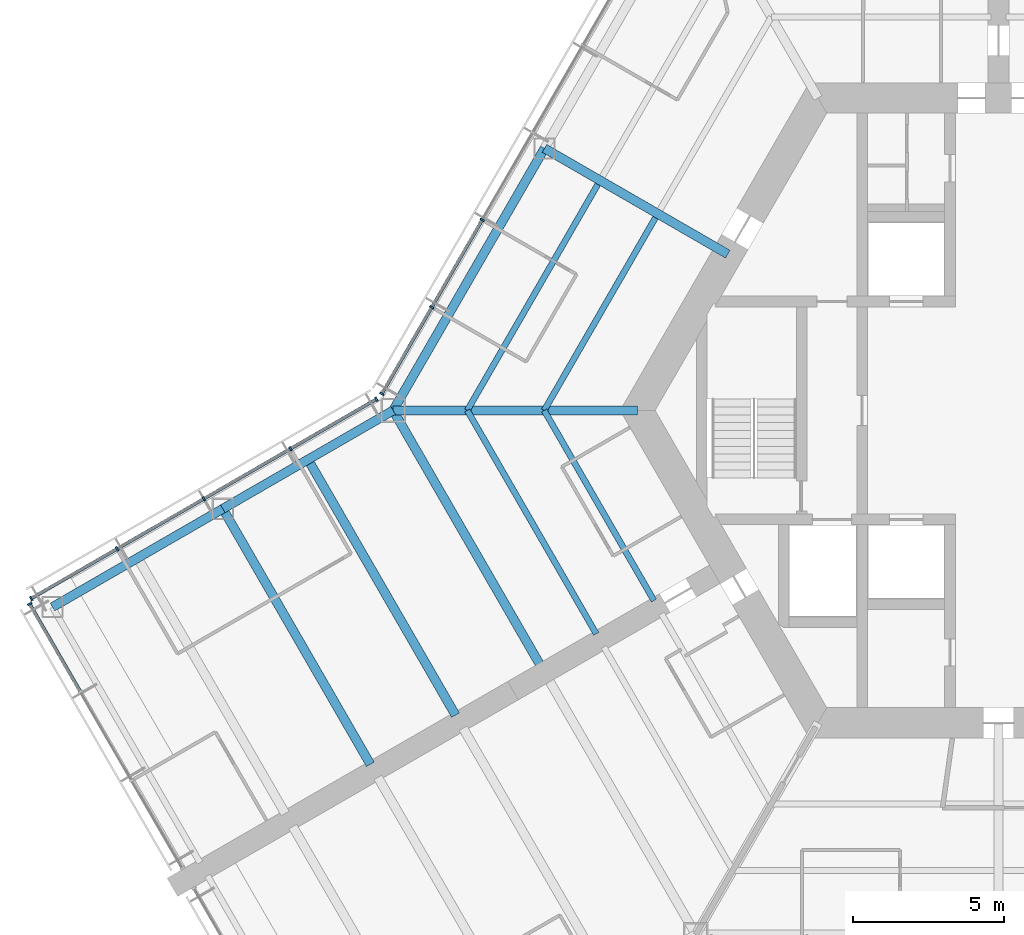
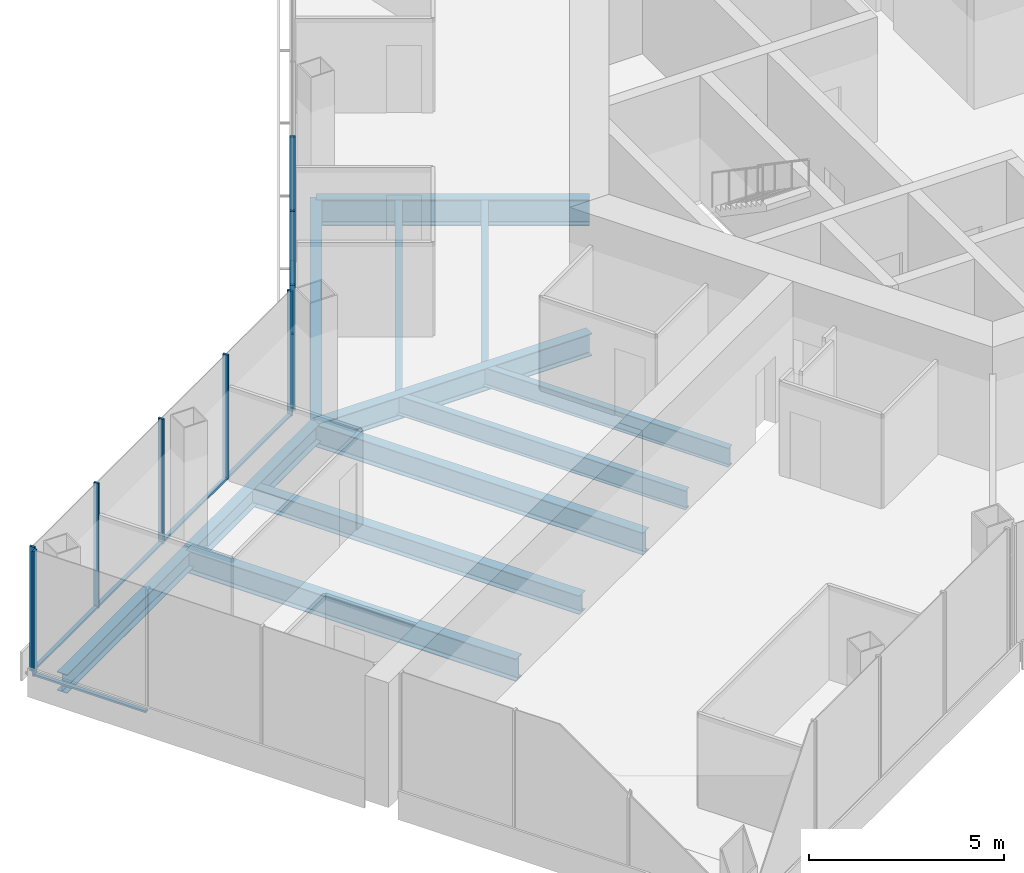
# One storey, part 4 of 18: 16 members, 12 beams, 3 elements without a shape of their own.
"""IFC4 building model written with IfcOpenShell, lengths in metres."""

from ifc_helpers import new_model, si_unit, direction, frame, origin, origin_2d, place, context, subcontext, project, spatial, rectangle, i_section, extrude, material, material_profile, profile_set, type_object, element, aggregate, save


model = new_model("IFC4")

# Units and contexts
model_context = context("Model", 3, precision=1e-05, world=origin(), true_north=direction((0.0, 1.0)))
body_context = subcontext(model_context, "Body", "Model", "MODEL_VIEW")
ifc_project = project(units=[si_unit("LENGTHUNIT", "METRE"), si_unit("AREAUNIT", "SQUARE_METRE"), si_unit("VOLUMEUNIT", "CUBIC_METRE"), si_unit("PLANEANGLEUNIT", "RADIAN"), si_unit("MASSUNIT", "GRAM", prefix="KILO")], contexts=[model_context])

# Site, building, storey
site_placement = place(None, origin())
site = spatial("IfcSite", under=ifc_project, at=site_placement, CompositionType="ELEMENT")
building_placement = place(site_placement, origin())
building = spatial("IfcBuilding", under=site, at=building_placement, Name="Kasaneha Research Tower", CompositionType="ELEMENT")
storey_placement = place(building_placement, frame((0.0, 0.0, 172.10009765625)))
storey = spatial("IfcBuildingStorey", under=building, at=storey_placement, Name="L43", CompositionType="ELEMENT", Elevation=172.10009765625)

# Beams
ifc_material_1 = material(Name="Steel SN490B", Category="steel")
ifc_material_profile_1 = material_profile(ifc_material_1, i_section(OverallWidth=0.199951171875, OverallDepth=0.60009765625, WebThickness=0.010986328125, FlangeThickness=0.01708984375, FilletRadius=0.012939453125, at=origin_2d()), Name="H-600x200x11x17")
ifc_profile_set_1 = profile_set([ifc_material_profile_1], Name="Steel SN490B")
beam_type_1 = type_object("IfcBeamType", Name="B1-3 secondary beam H-600x200x11x17", PredefinedType="JOIST", material=ifc_profile_set_1)
beam_1_placement = place(storey_placement, frame((-15.010986328125, 0.0, -0.4501953125), z_axis=(0.499994443168, 0.866028611999, 0.0), x_axis=(-0.866028611999, 0.499994443168, 0.0)))
element("IfcBeam", 1, at=beam_1_placement, inside=storey, type_object=beam_type_1, Name="Secondary beam RS150R1 L43", PredefinedType="JOIST", context=body_context, shape_type="SweptSolid", body=[
    extrude(i_section(OverallWidth=0.199951171875, OverallDepth=0.60009765625, WebThickness=0.010986328125, FlangeThickness=0.01708984375, FilletRadius=0.012939453125, at=origin_2d()), origin(), (0.0, 0.0, 1.0), 7.35546875),
])
beam_2_placement = place(storey_placement, frame((-17.551513671875, 0.0, -0.4501953125), z_axis=(0.5000050195, 0.866022505755, 0.0), x_axis=(-0.866022505755, 0.5000050195, 0.0)))
element("IfcBeam", 2, at=beam_2_placement, inside=storey, type_object=beam_type_1, Name="Secondary beam RS150R2 L43", PredefinedType="JOIST", context=body_context, shape_type="SweptSolid", body=[
    extrude(i_section(OverallWidth=0.199951171875, OverallDepth=0.60009765625, WebThickness=0.010986328125, FlangeThickness=0.01708984375, FilletRadius=0.012939453125, at=origin_2d()), origin(), (0.0, 0.0, 1.0), 8.6259765625),
])
beam_3_placement = place(storey_placement, frame((-15.010986328125, 0.0, -0.4501953125), z_axis=(0.499993340521, -0.866029248602, 0.0), x_axis=(0.866029248602, 0.499993340521, 0.0)))
element("IfcBeam", 3, at=beam_3_placement, inside=storey, type_object=beam_type_1, Name="Secondary beam RS210L1 L43", PredefinedType="JOIST", context=body_context, shape_type="SweptSolid", body=[
    extrude(i_section(OverallWidth=0.199951171875, OverallDepth=0.60009765625, WebThickness=0.010986328125, FlangeThickness=0.01708984375, FilletRadius=0.012939453125, at=origin_2d()), origin(), (0.0, 0.0, 1.0), 7.25537109375),
])
beam_4_placement = place(storey_placement, frame((-17.551513671875, 0.0, -0.4501953125), z_axis=(0.500004205306, -0.866022975836, 0.0), x_axis=(0.866022975836, 0.500004205306, 0.0)))
element("IfcBeam", 4, at=beam_4_placement, inside=storey, type_object=beam_type_1, Name="Secondary beam RS210L2 L43", PredefinedType="JOIST", context=body_context, shape_type="SweptSolid", body=[
    extrude(i_section(OverallWidth=0.199951171875, OverallDepth=0.60009765625, WebThickness=0.010986328125, FlangeThickness=0.01708984375, FilletRadius=0.012939453125, at=origin_2d()), origin(), (0.0, 0.0, 1.0), 8.52587890625),
])
ifc_material_2 = material(Name="Steel SN490B", Category="steel")
ifc_material_profile_2 = material_profile(ifc_material_2, i_section(OverallWidth=0.300048828125, OverallDepth=0.58203125, WebThickness=0.011962890625, FlangeThickness=0.01708984375, FilletRadius=0.012939453125, at=origin_2d()), Name="H-582x300x12x17")
ifc_profile_set_2 = profile_set([ifc_material_profile_2], Name="Steel SN490B")
beam_type_2 = type_object("IfcBeamType", Name="B2-3 secondary beam H-582x300x12x17", PredefinedType="JOIST", material=ifc_profile_set_2)
beam_5_placement = place(storey_placement, frame((-22.814697265625, -1.625, -0.441162109375), z_axis=(0.499995560238, -0.866027967067, 0.0), x_axis=(0.866027967067, 0.499995560238, 0.0)))
element("IfcBeam", 5, at=beam_5_placement, inside=storey, type_object=beam_type_2, Name="Secondary beam WBBP1 L43", PredefinedType="JOIST", context=body_context, shape_type="SweptSolid", body=[
    extrude(i_section(OverallWidth=0.300048828125, OverallDepth=0.58203125, WebThickness=0.011962890625, FlangeThickness=0.01708984375, FilletRadius=0.012939453125, at=origin_2d()), origin(), (0.0, 0.0, 1.0), 9.75),
])

# Curtain wall, members
ifc_material_3 = material(Name="Glass and aluminium", Category="aluminium")
curtain_wall_type = type_object("IfcCurtainWallType", Name="Mid-rise office curtain wall", PredefinedType="USERDEFINED", material=ifc_material_3)
curtain_wall_1_placement = place(storey_placement, origin())
curtain_wall_1 = element("IfcCurtainWall", 6, at=curtain_wall_1_placement, inside=storey, type_object=curtain_wall_type, Name="CW-O2 L43 run 08a", ObjectType="UNITISED CURTAIN WALL", PredefinedType="USERDEFINED")
ifc_material_4 = material(Name="Aluminium 6063-T6", Category="aluminium")
ifc_material_profile_3 = material_profile(ifc_material_4, rectangle(XDim=0.06005859375, YDim=0.14990234375, at=origin_2d()), Name="CW-O2 mullion 60x150")
ifc_profile_set_3 = profile_set([ifc_material_profile_3], Name="Aluminium 6063-T6")
member_type_1 = type_object("IfcMemberType", Name="CW-O2 mullion", PredefinedType="MULLION", material=ifc_profile_set_3)
member_1_placement = place(storey_placement, frame((-17.058349609375, 6.295166015625, 0.0), z_axis=(0.0, 0.0, 1.0), x_axis=(-0.499999979232, -0.866025415775, 0.0)))
member_1 = element("IfcMember", 7, at=member_1_placement, type_object=member_type_1, Name="CW-O2 mullion 5", PredefinedType="MULLION", context=body_context, shape_type="SweptSolid", body=[
    extrude(rectangle(XDim=0.06005859375, YDim=0.14990234375, at=origin_2d()), origin(), (0.0, 0.0, 1.0), 3.89990234375),
])
member_2_placement = place(storey_placement, frame((-18.723876953125, 3.410400390625, 0.0), z_axis=(0.0, 0.0, 1.0), x_axis=(-0.499999979232, -0.866025415775, 0.0)))
member_2 = element("IfcMember", 8, at=member_2_placement, type_object=member_type_1, Name="CW-O2 mullion 6", PredefinedType="MULLION", context=body_context, shape_type="SweptSolid", body=[
    extrude(rectangle(XDim=0.06005859375, YDim=0.14990234375, at=origin_2d()), origin(), (0.0, 0.0, 1.0), 3.89990234375),
])
member_3_placement = place(storey_placement, frame((-20.374267578125, 0.5517578125, 0.0), z_axis=(0.0, 0.0, 1.0), x_axis=(-0.499999979232, -0.866025415775, 0.0)))
member_3 = element("IfcMember", 9, at=member_3_placement, type_object=member_type_1, Name="CW-O2 mullion 7", PredefinedType="MULLION", context=body_context, shape_type="SweptSolid", body=[
    extrude(rectangle(XDim=0.06005859375, YDim=0.14990234375, at=origin_2d()), origin(), (0.0, 0.0, 1.0), 3.89990234375),
])

curtain_wall_2_placement = place(storey_placement, origin())
curtain_wall_2 = element("IfcCurtainWall", 10, at=curtain_wall_2_placement, inside=storey, type_object=curtain_wall_type, Name="CW-O2 L43 run 09a", ObjectType="UNITISED CURTAIN WALL", PredefinedType="USERDEFINED")
member_4_placement = place(storey_placement, frame((-20.5517578125, 0.374267578125, 0.0), z_axis=(0.0, 0.0, 1.0), x_axis=(-0.866025411464, -0.499999986699, 0.0)))
member_4 = element("IfcMember", 11, at=member_4_placement, type_object=member_type_1, Name="CW-O2 mullion 1", PredefinedType="MULLION", context=body_context, shape_type="SweptSolid", body=[
    extrude(rectangle(XDim=0.06005859375, YDim=0.14990234375, at=origin_2d()), origin(), (0.0, 0.0, 1.0), 3.89990234375),
])
member_5_placement = place(storey_placement, frame((-23.39208984375, -1.265625, 0.0), z_axis=(0.0, 0.0, 1.0), x_axis=(-0.866025411464, -0.499999986699, 0.0)))
member_5 = element("IfcMember", 12, at=member_5_placement, type_object=member_type_1, Name="CW-O2 mullion 2", PredefinedType="MULLION", context=body_context, shape_type="SweptSolid", body=[
    extrude(rectangle(XDim=0.06005859375, YDim=0.14990234375, at=origin_2d()), origin(), (0.0, 0.0, 1.0), 3.89990234375),
])
member_6_placement = place(storey_placement, frame((-26.258544921875, -2.920654296875, 0.0), z_axis=(0.0, 0.0, 1.0), x_axis=(-0.866025411464, -0.499999986699, 0.0)))
member_6 = element("IfcMember", 13, at=member_6_placement, type_object=member_type_1, Name="CW-O2 mullion 3", PredefinedType="MULLION", context=body_context, shape_type="SweptSolid", body=[
    extrude(rectangle(XDim=0.06005859375, YDim=0.14990234375, at=origin_2d()), origin(), (0.0, 0.0, 1.0), 3.89990234375),
])
member_7_placement = place(storey_placement, frame((-29.125, -4.575439453125, 0.0), z_axis=(0.0, 0.0, 1.0), x_axis=(-0.866025411464, -0.499999986699, 0.0)))
member_7 = element("IfcMember", 14, at=member_7_placement, type_object=member_type_1, Name="CW-O2 mullion 4", PredefinedType="MULLION", context=body_context, shape_type="SweptSolid", body=[
    extrude(rectangle(XDim=0.06005859375, YDim=0.14990234375, at=origin_2d()), origin(), (0.0, 0.0, 1.0), 3.89990234375),
])
member_8_placement = place(storey_placement, frame((-31.96533203125, -6.21533203125, 0.0), z_axis=(0.0, 0.0, 1.0), x_axis=(-0.866025411464, -0.499999986699, 0.0)))
member_8 = element("IfcMember", 15, at=member_8_placement, type_object=member_type_1, Name="CW-O2 mullion 5", PredefinedType="MULLION", context=body_context, shape_type="SweptSolid", body=[
    extrude(rectangle(XDim=0.06005859375, YDim=0.14990234375, at=origin_2d()), origin(), (0.0, 0.0, 1.0), 3.89990234375),
])

# Curtain wall, member
curtain_wall_3_placement = place(storey_placement, origin())
curtain_wall_3 = element("IfcCurtainWall", 16, at=curtain_wall_3_placement, inside=storey, type_object=curtain_wall_type, Name="CW-O2 L43 run 10a", ObjectType="UNITISED CURTAIN WALL", PredefinedType="USERDEFINED")
member_9_placement = place(storey_placement, frame((-32.012939453125, -6.39306640625, 0.0), z_axis=(0.0, 0.0, 1.0), x_axis=(0.500000011442, -0.866025397178, 0.0)))
member_9 = element("IfcMember", 17, at=member_9_placement, type_object=member_type_1, Name="CW-O2 mullion 1", PredefinedType="MULLION", context=body_context, shape_type="SweptSolid", body=[
    extrude(rectangle(XDim=0.06005859375, YDim=0.14990234375, at=origin_2d()), origin(), (0.0, 0.0, 1.0), 3.89990234375),
])

# Member
ifc_material_5 = material(Name="Aluminium 6063-T6", Category="aluminium")
ifc_material_profile_4 = material_profile(ifc_material_5, rectangle(XDim=0.110107421875, YDim=0.06005859375, at=origin_2d()), Name="CW-O2 transom 110x60")
ifc_profile_set_4 = profile_set([ifc_material_profile_4], Name="Aluminium 6063-T6")
member_type_2 = type_object("IfcMemberType", Name="CW-O2 transom", PredefinedType="USERDEFINED", material=ifc_profile_set_4)
member_10_placement = place(storey_placement, frame((-17.0732421875, 6.269287109375, 0.02978515625), z_axis=(-0.500000270186, -0.866025247793, 0.0), x_axis=(0.866025247793, -0.500000270186, 0.0)))
member_10 = element("IfcMember", 18, at=member_10_placement, type_object=member_type_2, Name="CW-O2 transom 5", ObjectType="TRANSOM", PredefinedType="USERDEFINED", context=body_context, shape_type="SweptSolid", body=[
    extrude(rectangle(XDim=0.110107421875, YDim=0.06005859375, at=origin_2d()), origin(), (0.0, 0.0, 1.0), 3.27099609375),
])

member_11_placement = place(storey_placement, frame((-18.73876953125, 3.384521484375, 0.02978515625), z_axis=(-0.499987643696, -0.866032537582, 0.0), x_axis=(0.866032537582, -0.499987643696, 0.0)))
member_11 = element("IfcMember", 19, at=member_11_placement, type_object=member_type_2, Name="CW-O2 transom 6", ObjectType="TRANSOM", PredefinedType="USERDEFINED", context=body_context, shape_type="SweptSolid", body=[
    extrude(rectangle(XDim=0.110107421875, YDim=0.06005859375, at=origin_2d()), origin(), (0.0, 0.0, 1.0), 3.24072265625),
])

aggregate(curtain_wall_1, [member_1, member_2, member_3, member_10, member_11])

member_12_placement = place(storey_placement, frame((-20.577880859375, 0.359130859375, 0.02978515625), z_axis=(-0.866022692473, -0.500004696101, 0.0), x_axis=(0.500004696101, -0.866022692473, 0.0)))
member_12 = element("IfcMember", 20, at=member_12_placement, type_object=member_type_2, Name="CW-O2 transom 1", ObjectType="TRANSOM", PredefinedType="USERDEFINED", context=body_context, shape_type="SweptSolid", body=[
    extrude(rectangle(XDim=0.110107421875, YDim=0.06005859375, at=origin_2d()), origin(), (0.0, 0.0, 1.0), 3.2197265625),
])

member_13_placement = place(storey_placement, frame((-23.418212890625, -1.28076171875, 0.02978515625), z_axis=(-0.86604797581, -0.499960902066, 0.0), x_axis=(0.499960902066, -0.86604797581, 0.0)))
member_13 = element("IfcMember", 21, at=member_13_placement, type_object=member_type_2, Name="CW-O2 transom 2", ObjectType="TRANSOM", PredefinedType="USERDEFINED", context=body_context, shape_type="SweptSolid", body=[
    extrude(rectangle(XDim=0.110107421875, YDim=0.06005859375, at=origin_2d()), origin(), (0.0, 0.0, 1.0), 3.249755859375),
])

member_14_placement = place(storey_placement, frame((-26.28466796875, -2.935546875, 0.02978515625), z_axis=(-0.86599666273, -0.500049777664, 0.0), x_axis=(0.500049777664, -0.86599666273, 0.0)))
member_14 = element("IfcMember", 22, at=member_14_placement, type_object=member_type_2, Name="CW-O2 transom 3", ObjectType="TRANSOM", PredefinedType="USERDEFINED", context=body_context, shape_type="SweptSolid", body=[
    extrude(rectangle(XDim=0.110107421875, YDim=0.06005859375, at=origin_2d()), origin(), (0.0, 0.0, 1.0), 3.249755859375),
])

member_15_placement = place(storey_placement, frame((-29.15087890625, -4.590576171875, 0.02978515625), z_axis=(-0.866041647767, -0.499971863542, 0.0), x_axis=(0.499971863542, -0.866041647767, 0.0)))
member_15 = element("IfcMember", 23, at=member_15_placement, type_object=member_type_2, Name="CW-O2 transom 4", ObjectType="TRANSOM", PredefinedType="USERDEFINED", context=body_context, shape_type="SweptSolid", body=[
    extrude(rectangle(XDim=0.110107421875, YDim=0.06005859375, at=origin_2d()), origin(), (0.0, 0.0, 1.0), 3.219970703125),
])

aggregate(curtain_wall_2, [member_4, member_5, member_6, member_7, member_8, member_12, member_13, member_14, member_15])

member_16_placement = place(storey_placement, frame((-31.998046875, -6.4189453125, 0.02978515625), z_axis=(0.500021914551, -0.866012751043, 0.0), x_axis=(0.866012751043, 0.500021914551, 0.0)))
member_16 = element("IfcMember", 24, at=member_16_placement, type_object=member_type_2, Name="CW-O2 transom 1", ObjectType="TRANSOM", PredefinedType="USERDEFINED", context=body_context, shape_type="SweptSolid", body=[
    extrude(rectangle(XDim=0.110107421875, YDim=0.06005859375, at=origin_2d()), origin(), (0.0, 0.0, 1.0), 3.293212890625),
])

aggregate(curtain_wall_3, [member_9, member_16])

# Beams
ifc_material_6 = material(Name="Steel SN490B", Category="steel")
ifc_material_profile_5 = material_profile(ifc_material_6, i_section(OverallWidth=0.300048828125, OverallDepth=0.699951171875, WebThickness=0.012939453125, FlangeThickness=0.02392578125, FilletRadius=0.01806640625, at=origin_2d()), Name="H-700x300x13x24")
ifc_profile_set_5 = profile_set([ifc_material_profile_5], Name="Steel SN490B")
beam_type_3 = type_object("IfcBeamType", Name="G1-3 radial girder H-700x300x13x24", PredefinedType="BEAM", material=ifc_profile_set_5)
beam_6_placement = place(storey_placement, frame((-11.92236328125, 0.0, -0.5), z_axis=(-1.0, 0.0, 0.0), x_axis=(0.0, -1.0, 0.0)))
element("IfcBeam", 25, at=beam_6_placement, inside=storey, type_object=beam_type_3, Name="Radial girder RV180 L43", PredefinedType="BEAM", context=body_context, shape_type="SweptSolid", body=[
    extrude(i_section(OverallWidth=0.300048828125, OverallDepth=0.699951171875, WebThickness=0.012939453125, FlangeThickness=0.02392578125, FilletRadius=0.01806640625, at=origin_2d()), origin(), (0.0, 0.0, 1.0), 8.07763671875),
])
ifc_material_7 = material(Name="Steel SN490B", Category="steel")
ifc_material_profile_6 = material_profile(ifc_material_7, i_section(OverallWidth=0.300048828125, OverallDepth=0.800048828125, WebThickness=0.013916015625, FlangeThickness=0.02587890625, FilletRadius=0.01806640625, at=origin_2d()), Name="H-800x300x14x26")
ifc_profile_set_6 = profile_set([ifc_material_profile_6], Name="Steel SN490B")
beam_type_4 = type_object("IfcBeamType", Name="G2-3 radial girder H-800x300x14x26", PredefinedType="BEAM", material=ifc_profile_set_6)
beam_7_placement = place(storey_placement, frame((-8.941650390625, 5.16259765625, -0.550048828125), z_axis=(-0.866039713508, 0.499975214012, 0.0), x_axis=(-0.499975214012, -0.866039713508, 0.0)))
element("IfcBeam", 26, at=beam_7_placement, inside=storey, type_object=beam_type_4, Name="Radial girder RM150 L43", PredefinedType="BEAM", context=body_context, shape_type="SweptSolid", body=[
    extrude(i_section(OverallWidth=0.300048828125, OverallDepth=0.800048828125, WebThickness=0.013916015625, FlangeThickness=0.02587890625, FilletRadius=0.01806640625, at=origin_2d()), origin(), (0.0, 0.0, 1.0), 6.995361328125),
])
ifc_material_8 = material(Name="Steel SN490B", Category="steel")
ifc_material_profile_7 = material_profile(ifc_material_8, i_section(OverallWidth=0.300048828125, OverallDepth=0.69189453125, WebThickness=0.012939453125, FlangeThickness=0.02001953125, FilletRadius=0.01806640625, at=origin_2d()), Name="H-692x300x13x20")
ifc_profile_set_7 = profile_set([ifc_material_profile_7], Name="Steel SN490B")
beam_type_5 = type_object("IfcBeamType", Name="G3-3 plate edge girder H-692x300x13x20", PredefinedType="BEAM", material=ifc_profile_set_7)
beam_8_placement = place(storey_placement, frame((-20.0, 0.0, -0.49609375), z_axis=(0.499995560238, -0.866027967067, 0.0), x_axis=(0.866027967067, 0.499995560238, 0.0)))
element("IfcBeam", 27, at=beam_8_placement, inside=storey, type_object=beam_type_5, Name="Plate edge girder PEBP L43", PredefinedType="BEAM", context=body_context, shape_type="SweptSolid", body=[
    extrude(i_section(OverallWidth=0.300048828125, OverallDepth=0.69189453125, WebThickness=0.012939453125, FlangeThickness=0.02001953125, FilletRadius=0.01806640625, at=origin_2d()), origin(), (0.0, 0.0, 1.0), 9.75),
])
ifc_material_9 = material(Name="Steel SN490B", Category="steel")
ifc_material_profile_8 = material_profile(ifc_material_9, i_section(OverallWidth=0.300048828125, OverallDepth=0.699951171875, WebThickness=0.012939453125, FlangeThickness=0.02392578125, FilletRadius=0.01806640625, at=origin_2d()), Name="H-700x300x13x24")
ifc_profile_set_8 = profile_set([ifc_material_profile_8], Name="Steel SN490B")
beam_type_6 = type_object("IfcBeamType", Name="G4-3 wing girder H-700x300x13x24", PredefinedType="BEAM", material=ifc_profile_set_8)
beam_9_placement = place(storey_placement, frame((-25.629150390625, -3.25, -0.5), z_axis=(0.499995560238, -0.866027967067, 0.0), x_axis=(0.866027967067, 0.499995560238, 0.0)))
element("IfcBeam", 28, at=beam_9_placement, inside=storey, type_object=beam_type_6, Name="Wing girder WGBP L43", PredefinedType="BEAM", context=body_context, shape_type="SweptSolid", body=[
    extrude(i_section(OverallWidth=0.300048828125, OverallDepth=0.699951171875, WebThickness=0.012939453125, FlangeThickness=0.02392578125, FilletRadius=0.01806640625, at=origin_2d()), origin(), (0.0, 0.0, 1.0), 9.75),
])
ifc_material_10 = material(Name="Steel SN490B", Category="steel")
ifc_material_profile_9 = material_profile(ifc_material_10, i_section(OverallWidth=0.300048828125, OverallDepth=0.69189453125, WebThickness=0.012939453125, FlangeThickness=0.02001953125, FilletRadius=0.01806640625, at=origin_2d()), Name="H-692x300x13x20")
ifc_profile_set_9 = profile_set([ifc_material_profile_9], Name="Steel SN490B")
beam_type_7 = type_object("IfcBeamType", Name="SB1-3 spandrel beam H-692x300x13x20", PredefinedType="SPANDREL", material=ifc_profile_set_9)
beam_10_placement = place(storey_placement, frame((-20.0, 0.0, -0.49609375), z_axis=(0.500004234368, 0.866022959057, 0.0), x_axis=(-0.866022959057, 0.500004234368, 0.0)))
element("IfcBeam", 29, at=beam_10_placement, inside=storey, type_object=beam_type_7, Name="Spandrel beam SR150R L43", PredefinedType="SPANDREL", context=body_context, shape_type="SweptSolid", body=[
    extrude(i_section(OverallWidth=0.300048828125, OverallDepth=0.69189453125, WebThickness=0.012939453125, FlangeThickness=0.02001953125, FilletRadius=0.01806640625, at=origin_2d()), origin(), (0.0, 0.0, 1.0), 10.0),
])
ifc_material_11 = material(Name="Steel SN490B", Category="steel")
ifc_material_profile_10 = material_profile(ifc_material_11, i_section(OverallWidth=0.300048828125, OverallDepth=0.58203125, WebThickness=0.011962890625, FlangeThickness=0.01708984375, FilletRadius=0.012939453125, at=origin_2d()), Name="H-582x300x12x17")
ifc_profile_set_10 = profile_set([ifc_material_profile_10], Name="Steel SN490B")
beam_type_8 = type_object("IfcBeamType", Name="SB2-3 spandrel beam H-582x300x12x17", PredefinedType="SPANDREL", material=ifc_profile_set_10)
for number, where, z_axis, x_axis, name in (
    (30, (-20.0, 0.0, -0.441162109375), (-0.866024837091, -0.50000098154, 0.0), (0.50000098154, -0.866024837091, 0.0), "Spandrel beam WSBP1 L43"),
    (31, (-25.629150390625, -3.25, -0.441162109375), (-0.866024837091, -0.50000098154, 0.0), (0.50000098154, -0.866024837091, 0.0), "Spandrel beam WSBP2 L43"),
):
    element("IfcBeam", number, at=place(storey_placement, frame(where, z_axis=z_axis, x_axis=x_axis)), inside=storey, type_object=beam_type_8, Name=name, PredefinedType="SPANDREL", context=body_context, shape_type="SweptSolid", body=[
        extrude(i_section(OverallWidth=0.300048828125, OverallDepth=0.58203125, WebThickness=0.011962890625, FlangeThickness=0.01708984375, FilletRadius=0.012939453125, at=origin_2d()), origin(), (0.0, 0.0, 1.0), 6.5),
    ])

save(model, "model.ifc")
